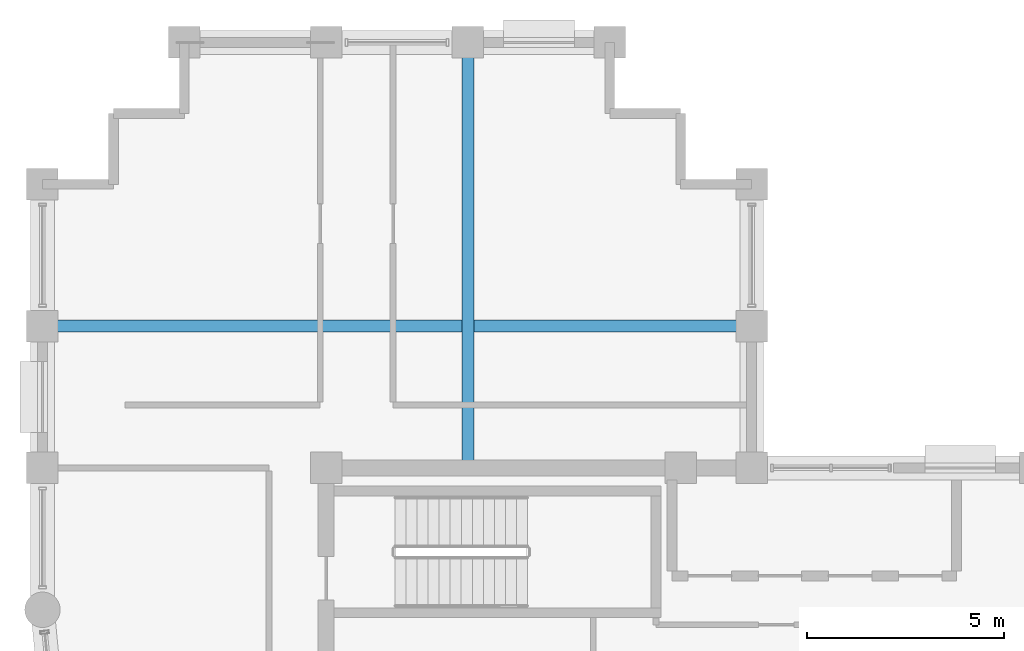
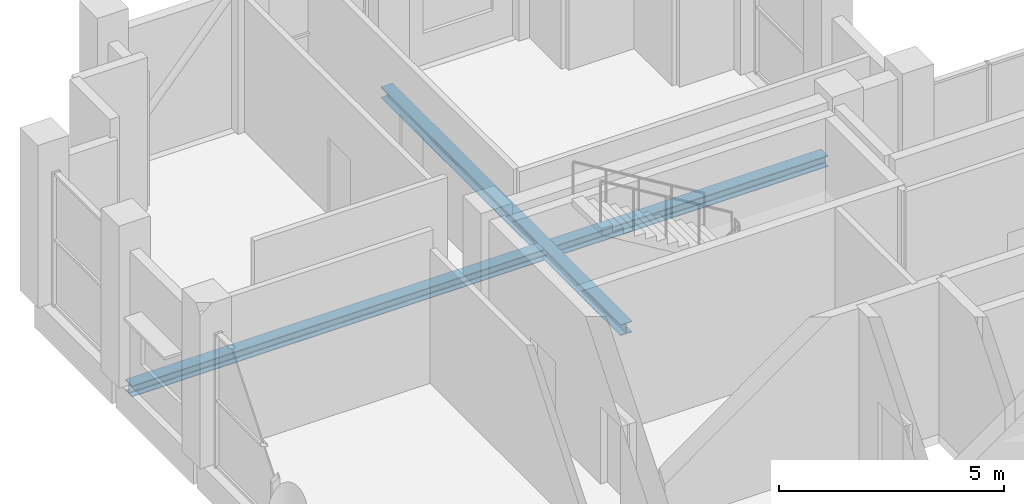
# One storey, part 7 of 18: 2 beams.
"""IFC4 building model written with IfcOpenShell, lengths in metres."""

from ifc_helpers import new_model, si_unit, direction, frame, origin, origin_2d, place, context, subcontext, project, spatial, i_section, extrude, material, material_profile, profile_set, type_object, element, save


model = new_model("IFC4")

# Units and contexts
model_context = context("Model", 3, precision=1e-05, world=origin(), true_north=direction((0.0, 1.0)))
body_context = subcontext(model_context, "Body", "Model", "MODEL_VIEW")
ifc_project = project(units=[si_unit("LENGTHUNIT", "METRE"), si_unit("AREAUNIT", "SQUARE_METRE"), si_unit("VOLUMEUNIT", "CUBIC_METRE"), si_unit("PLANEANGLEUNIT", "RADIAN"), si_unit("MASSUNIT", "GRAM", prefix="KILO")], contexts=[model_context])

# Site, building, storey
site_placement = place(None, origin())
site = spatial("IfcSite", under=ifc_project, at=site_placement, CompositionType="ELEMENT")
building_placement = place(site_placement, origin())
building = spatial("IfcBuilding", under=site, at=building_placement, Name="Solnavia Interchange Tower", CompositionType="ELEMENT")
storey_placement = place(building_placement, frame((0.0, 0.0, 295.39990234375)))
storey = spatial("IfcBuildingStorey", under=building, at=storey_placement, Name="L75", CompositionType="ELEMENT", Elevation=295.39990234375)

# Beams
ifc_material = material(Name="Steel S460", Category="steel")
ifc_material_profile = material_profile(ifc_material, i_section(OverallWidth=0.300048828125, OverallDepth=0.300048828125, WebThickness=0.010986328125, FlangeThickness=0.01904296875, FilletRadius=0.027099609375, at=origin_2d()), Name="HEB 300")
ifc_profile_set = profile_set([ifc_material_profile], Name="Steel S460")
beam_type = type_object("IfcBeamType", Name="Beam-Girder-HEB300", PredefinedType="BEAM", material=ifc_profile_set)
beam_1_placement = place(storey_placement, frame((18.0, 25.280029296875, -0.39990234375), z_axis=(0.0, 1.0, 0.0), x_axis=(-1.0, 0.0, 0.0)))
element("IfcBeam", 1, at=beam_1_placement, inside=storey, type_object=beam_type, Name="GRD-L75-NS03 North wing spine girder", PredefinedType="BEAM", context=body_context, shape_type="SweptSolid", body=[
    extrude(i_section(OverallWidth=0.300048828125, OverallDepth=0.300048828125, WebThickness=0.010986328125, FlangeThickness=0.01904296875, FilletRadius=0.027099609375, at=origin_2d()), origin(), (0.0, 0.0, 1.0), 10.639892578125),
])
beam_2_placement = place(storey_placement, frame((7.280029296875, 28.800048828125, -0.39990234375), z_axis=(1.0, 0.0, 0.0), x_axis=(0.0, 1.0, 0.0)))
element("IfcBeam", 2, at=beam_2_placement, inside=storey, type_object=beam_type, Name="GRD-L75-NW04 North wing primary floor girder", PredefinedType="BEAM", context=body_context, shape_type="SweptSolid", body=[
    extrude(i_section(OverallWidth=0.300048828125, OverallDepth=0.300048828125, WebThickness=0.010986328125, FlangeThickness=0.01904296875, FilletRadius=0.027099609375, at=origin_2d()), origin(), (0.0, 0.0, 1.0), 17.840087890625),
])

save(model, "model.ifc")
